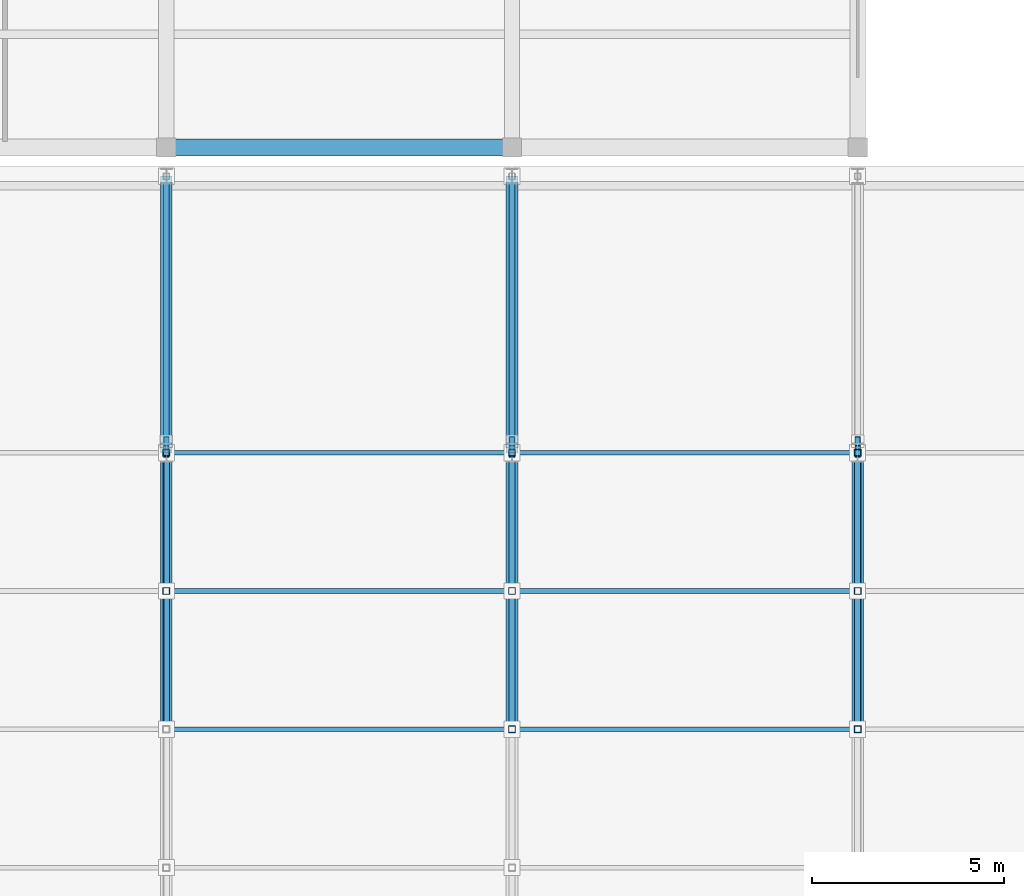
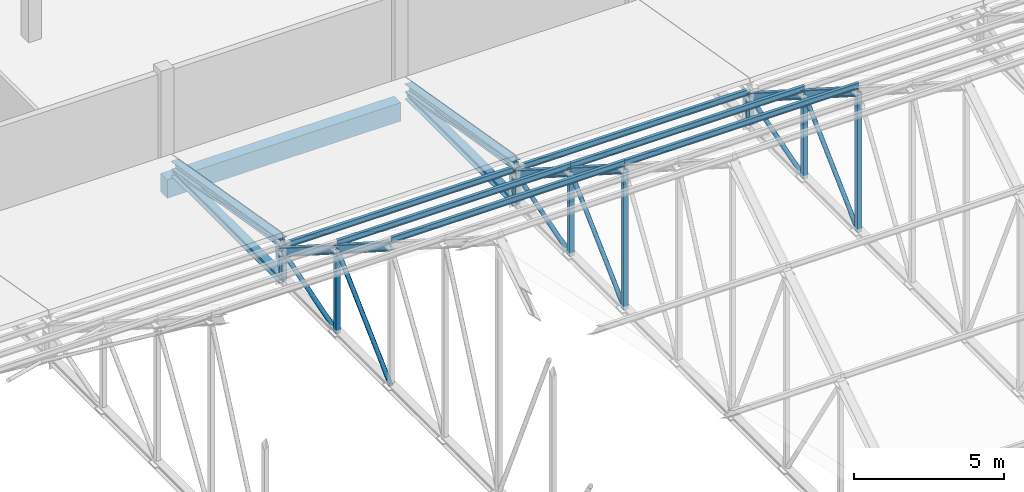
# One storey, part 113 of 182: 35 members, 1 beam.
"""IFC4 building model written with IfcOpenShell, lengths in metres."""

from ifc_helpers import new_model, si_unit, direction, frame, origin, origin_2d, place, context, subcontext, project, spatial, rectangle, hollow_rectangle, hollow_circle, i_section, extrude, material, material_profile, profile_set, type_object, element, save


model = new_model("IFC4")

# Units and contexts
model_context = context("Model", 3, precision=1e-05, world=origin(), true_north=direction((0.0, 1.0)))
body_context = subcontext(model_context, "Body", "Model", "MODEL_VIEW")
ifc_project = project(units=[si_unit("LENGTHUNIT", "METRE"), si_unit("AREAUNIT", "SQUARE_METRE"), si_unit("VOLUMEUNIT", "CUBIC_METRE"), si_unit("PLANEANGLEUNIT", "RADIAN"), si_unit("MASSUNIT", "GRAM", prefix="KILO")], contexts=[model_context])

# Site, building, storey
site_placement = place(None, origin())
site = spatial("IfcSite", under=ifc_project, at=site_placement, CompositionType="ELEMENT")
building_placement = place(site_placement, origin())
building = spatial("IfcBuilding", under=site, at=building_placement, Name="Chiffa Square Polytechnic", CompositionType="ELEMENT")
storey_placement = place(building_placement, frame((0.0, 0.0, 9.60009765625)))
storey = spatial("IfcBuildingStorey", under=building, at=storey_placement, Name="L02", CompositionType="ELEMENT", Elevation=9.60009765625)

# Beam
ifc_material_1 = material(Name="Concrete C35/45", Category="concrete")
ifc_material_profile_1 = material_profile(ifc_material_1, rectangle(XDim=0.449951171875, YDim=0.75, at=origin_2d()), Name="RC 450x750")
ifc_profile_set_1 = profile_set([ifc_material_profile_1], Name="Concrete C35/45")
beam_type = type_object("IfcBeamType", Name="BM-RC-450X750", PredefinedType="BEAM", material=ifc_profile_set_1)
beam_placement = place(storey_placement, frame((130.199951171875, 94.949951171875, -0.695068359375), z_axis=(1.0, 0.0, 0.0), x_axis=(0.0, 1.0, 0.0)))
element("IfcBeam", 1, at=beam_placement, inside=storey, type_object=beam_type, Name="Primary floor girder BM-V5-L02-X-1302-0950", PredefinedType="BEAM", context=body_context, shape_type="SweptSolid", body=[
    extrude(rectangle(XDim=0.449951171875, YDim=0.75, at=origin_2d()), origin(), (0.0, 0.0, 1.0), 9.0),
])

# Members
ifc_material_2 = material(Name="Steel S355", Category="steel")
ifc_material_profile_2 = material_profile(ifc_material_2, i_section(OverallWidth=0.300048828125, OverallDepth=0.31005859375, WebThickness=0.009033203125, FlangeThickness=0.015380859375, FilletRadius=0.027099609375, at=origin_2d()), Name="HEA 320")
ifc_profile_set_2 = profile_set([ifc_material_profile_2], Name="Steel S355")
member_type_1 = type_object("IfcMemberType", Name="MEM-CHORD-HEA320", PredefinedType="CHORD", material=ifc_profile_set_2)
member_1_placement = place(storey_placement, frame((130.199951171875, 79.800048828125, 6.0498046875), z_axis=(0.0, 0.84270706373, -0.538372366248), x_axis=(-1.0, 0.0, 0.0)))
element("IfcMember", 2, at=member_1_placement, inside=storey, type_object=member_type_1, Name="Workshop roof truss top chord TCT-V2-03-07", PredefinedType="CHORD", context=body_context, shape_type="SweptSolid", body=[
    extrude(i_section(OverallWidth=0.300048828125, OverallDepth=0.31005859375, WebThickness=0.009033203125, FlangeThickness=0.015380859375, FilletRadius=0.027099609375, at=origin_2d()), origin(), (0.0, 0.0, 1.0), 4.271728515625),
])
member_2_placement = place(storey_placement, frame((130.199951171875, 83.39990234375, 3.75), z_axis=(0.0, 0.84269770024, -0.538387022512), x_axis=(-1.0, 0.0, 0.0)))
element("IfcMember", 3, at=member_2_placement, inside=storey, type_object=member_type_1, Name="Workshop roof truss top chord TCT-V2-03-08", PredefinedType="CHORD", context=body_context, shape_type="SweptSolid", body=[
    extrude(i_section(OverallWidth=0.300048828125, OverallDepth=0.31005859375, WebThickness=0.009033203125, FlangeThickness=0.015380859375, FilletRadius=0.027099609375, at=origin_2d()), origin(), (0.0, 0.0, 1.0), 4.272216796875),
])
member_3_placement = place(storey_placement, frame((130.199951171875, 87.0, 1.849853515625), z_axis=(0.0, 0.986394827799, -0.164393563414), x_axis=(-1.0, 0.0, 0.0)))
element("IfcMember", 4, at=member_3_placement, inside=storey, type_object=member_type_1, Name="Workshop north shed top chord TCT-V2-SH-03", PredefinedType="CHORD", context=body_context, shape_type="SweptSolid", body=[
    extrude(i_section(OverallWidth=0.300048828125, OverallDepth=0.31005859375, WebThickness=0.009033203125, FlangeThickness=0.015380859375, FilletRadius=0.027099609375, at=origin_2d()), origin(), (0.0, 0.0, 1.0), 7.29931640625),
])
member_4_placement = place(storey_placement, frame((139.199951171875, 79.800048828125, 6.0498046875), z_axis=(0.0, 0.84270706373, -0.538372366248), x_axis=(-1.0, 0.0, 0.0)))
element("IfcMember", 5, at=member_4_placement, inside=storey, type_object=member_type_1, Name="Workshop roof truss top chord TCT-V2-04-07", PredefinedType="CHORD", context=body_context, shape_type="SweptSolid", body=[
    extrude(i_section(OverallWidth=0.300048828125, OverallDepth=0.31005859375, WebThickness=0.009033203125, FlangeThickness=0.015380859375, FilletRadius=0.027099609375, at=origin_2d()), origin(), (0.0, 0.0, 1.0), 4.271728515625),
])
member_5_placement = place(storey_placement, frame((139.199951171875, 83.39990234375, 3.75), z_axis=(0.0, 0.84269770024, -0.538387022512), x_axis=(-1.0, 0.0, 0.0)))
element("IfcMember", 6, at=member_5_placement, inside=storey, type_object=member_type_1, Name="Workshop roof truss top chord TCT-V2-04-08", PredefinedType="CHORD", context=body_context, shape_type="SweptSolid", body=[
    extrude(i_section(OverallWidth=0.300048828125, OverallDepth=0.31005859375, WebThickness=0.009033203125, FlangeThickness=0.015380859375, FilletRadius=0.027099609375, at=origin_2d()), origin(), (0.0, 0.0, 1.0), 4.272216796875),
])
member_6_placement = place(storey_placement, frame((139.199951171875, 87.0, 1.849853515625), z_axis=(0.0, 0.986394827799, -0.164393563414), x_axis=(-1.0, 0.0, 0.0)))
element("IfcMember", 7, at=member_6_placement, inside=storey, type_object=member_type_1, Name="Workshop north shed top chord TCT-V2-SH-04", PredefinedType="CHORD", context=body_context, shape_type="SweptSolid", body=[
    extrude(i_section(OverallWidth=0.300048828125, OverallDepth=0.31005859375, WebThickness=0.009033203125, FlangeThickness=0.015380859375, FilletRadius=0.027099609375, at=origin_2d()), origin(), (0.0, 0.0, 1.0), 7.29931640625),
])
member_7_placement = place(storey_placement, frame((148.199951171875, 79.800048828125, 6.0498046875), z_axis=(0.0, 0.84270706373, -0.538372366248), x_axis=(-1.0, 0.0, 0.0)))
element("IfcMember", 8, at=member_7_placement, inside=storey, type_object=member_type_1, Name="Workshop roof truss top chord TCT-V2-05-07", PredefinedType="CHORD", context=body_context, shape_type="SweptSolid", body=[
    extrude(i_section(OverallWidth=0.300048828125, OverallDepth=0.31005859375, WebThickness=0.009033203125, FlangeThickness=0.015380859375, FilletRadius=0.027099609375, at=origin_2d()), origin(), (0.0, 0.0, 1.0), 4.271728515625),
])
member_8_placement = place(storey_placement, frame((148.199951171875, 83.39990234375, 3.75), z_axis=(0.0, 0.84269770024, -0.538387022512), x_axis=(-1.0, 0.0, 0.0)))
element("IfcMember", 9, at=member_8_placement, inside=storey, type_object=member_type_1, Name="Workshop roof truss top chord TCT-V2-05-08", PredefinedType="CHORD", context=body_context, shape_type="SweptSolid", body=[
    extrude(i_section(OverallWidth=0.300048828125, OverallDepth=0.31005859375, WebThickness=0.009033203125, FlangeThickness=0.015380859375, FilletRadius=0.027099609375, at=origin_2d()), origin(), (0.0, 0.0, 1.0), 4.272216796875),
])
ifc_material_profile_3 = material_profile(ifc_material_2, i_section(OverallWidth=0.300048828125, OverallDepth=0.300048828125, WebThickness=0.010986328125, FlangeThickness=0.01904296875, FilletRadius=0.027099609375, at=origin_2d()), Name="HEB 300")
ifc_profile_set_3 = profile_set([ifc_material_profile_3], Name="Steel S355")
member_type_2 = type_object("IfcMemberType", Name="MEM-CHORD-HEB300", PredefinedType="CHORD", material=ifc_profile_set_3)
for number, where, z_axis, x_axis, name in (
    (10, (130.199951171875, 87.0, 0.349853515625), (0.0, 1.0, 0.0), (-1.0, 0.0, 0.0), "Workshop north shed bottom chord TCB-V2-SH-03"),
    (11, (139.199951171875, 87.0, 0.349853515625), (0.0, 1.0, 0.0), (-1.0, 0.0, 0.0), "Workshop north shed bottom chord TCB-V2-SH-04"),
):
    element("IfcMember", number, at=place(storey_placement, frame(where, z_axis=z_axis, x_axis=x_axis)), inside=storey, type_object=member_type_2, Name=name, PredefinedType="CHORD", context=body_context, shape_type="SweptSolid", body=[
        extrude(i_section(OverallWidth=0.300048828125, OverallDepth=0.300048828125, WebThickness=0.010986328125, FlangeThickness=0.01904296875, FilletRadius=0.027099609375, at=origin_2d()), origin(), (0.0, 0.0, 1.0), 7.199951171875),
    ])
ifc_material_profile_4 = material_profile(ifc_material_2, i_section(OverallWidth=0.1201171875, OverallDepth=0.239990234375, WebThickness=0.006103515625, FlangeThickness=0.009765625, FilletRadius=0.014892578125, at=origin_2d()), Name="IPE 240")
ifc_profile_set_4 = profile_set([ifc_material_profile_4], Name="Steel S355")
member_type_3 = type_object("IfcMemberType", Name="MEM-PUR-IPE240", PredefinedType="PURLIN", material=ifc_profile_set_4)
for number, where, z_axis, x_axis, name in (
    (12, (130.199951171875, 79.800048828125, 6.2998046875), (1.0, 0.0, 0.0), (0.0, 1.0, 0.0), "Workshop steel roof purlin PU-V2-03-07"),
    (13, (130.199951171875, 83.39990234375, 4.0), (1.0, 0.0, 0.0), (0.0, 1.0, 0.0), "Workshop steel roof purlin PU-V2-03-08"),
    (14, (130.199951171875, 87.0, 1.699951171875), (1.0, 0.0, 0.0), (0.0, 1.0, 0.0), "Workshop steel roof purlin PU-V2-03-09"),
    (15, (139.199951171875, 79.800048828125, 6.2998046875), (1.0, 0.0, 0.0), (0.0, 1.0, 0.0), "Workshop steel roof purlin PU-V2-04-07"),
    (16, (139.199951171875, 83.39990234375, 4.0), (1.0, 0.0, 0.0), (0.0, 1.0, 0.0), "Workshop steel roof purlin PU-V2-04-08"),
    (17, (139.199951171875, 87.0, 1.699951171875), (1.0, 0.0, 0.0), (0.0, 1.0, 0.0), "Workshop steel roof purlin PU-V2-04-09"),
):
    element("IfcMember", number, at=place(storey_placement, frame(where, z_axis=z_axis, x_axis=x_axis)), inside=storey, type_object=member_type_3, Name=name, PredefinedType="PURLIN", context=body_context, shape_type="SweptSolid", body=[
        extrude(i_section(OverallWidth=0.1201171875, OverallDepth=0.239990234375, WebThickness=0.006103515625, FlangeThickness=0.009765625, FilletRadius=0.014892578125, at=origin_2d()), origin(), (0.0, 0.0, 1.0), 9.0),
    ])
ifc_material_profile_5 = material_profile(ifc_material_2, hollow_rectangle(XDim=0.14990234375, YDim=0.25, WallThickness=0.010009765625, at=origin_2d()), Name="RHS 250x150x10")
ifc_profile_set_5 = profile_set([ifc_material_profile_5], Name="Steel S355")
member_type_4 = type_object("IfcMemberType", Name="MEM-STRUT-RHS250", PredefinedType="STRUT", material=ifc_profile_set_5)
for number, where, z_axis, x_axis, name in (
    (18, (130.199951171875, 87.0, 0.349853515625), (0.0, 0.263135522356, 0.964758880174), (-1.0, 0.0, 0.0), "Eave outrigger strut OS-V2-N-03"),
    (19, (139.199951171875, 87.0, 0.349853515625), (0.0, 0.263135522356, 0.964758880174), (-1.0, 0.0, 0.0), "Eave outrigger strut OS-V2-N-04"),
    (20, (148.199951171875, 87.0, 0.349853515625), (0.0, 0.263135522356, 0.964758880174), (-1.0, 0.0, 0.0), "Eave outrigger strut OS-V2-N-05"),
):
    element("IfcMember", number, at=place(storey_placement, frame(where, z_axis=z_axis, x_axis=x_axis)), inside=storey, type_object=member_type_4, Name=name, PredefinedType="STRUT", context=body_context, shape_type="SweptSolid", body=[
        extrude(hollow_rectangle(XDim=0.14990234375, YDim=0.25, WallThickness=0.010009765625, at=origin_2d()), origin(), (0.0, 0.0, 1.0), 1.140380859375),
    ])
ifc_material_profile_6 = material_profile(ifc_material_2, hollow_circle(Radius=0.084228515625, WallThickness=0.010009765625, at=origin_2d()), Name="CHS 168.3x10")
ifc_profile_set_6 = profile_set([ifc_material_profile_6], Name="Steel S355")
member_type_5 = type_object("IfcMemberType", Name="MEM-WEB-CHS168", PredefinedType="MEMBER", material=ifc_profile_set_6)
member_9_placement = place(storey_placement, frame((130.199951171875, 79.800048828125, 0.349853515625), z_axis=(0.0, 0.726984438285, 0.686653935029), x_axis=(-1.0, 0.0, 0.0)))
element("IfcMember", 21, at=member_9_placement, inside=storey, type_object=member_type_5, Name="Workshop roof truss diagonal TWD-V2-03-07", PredefinedType="MEMBER", context=body_context, shape_type="SweptSolid", body=[
    extrude(hollow_circle(Radius=0.084228515625, WallThickness=0.010009765625, at=origin_2d()), origin(), (0.0, 0.0, 1.0), 4.95166015625),
])
member_10_placement = place(storey_placement, frame((130.199951171875, 83.39990234375, 0.349853515625), z_axis=(0.0, 0.956346536322, 0.292235012388), x_axis=(-1.0, 0.0, 0.0)))
element("IfcMember", 22, at=member_10_placement, inside=storey, type_object=member_type_5, Name="Workshop roof truss diagonal TWD-V2-03-08", PredefinedType="MEMBER", context=body_context, shape_type="SweptSolid", body=[
    extrude(hollow_circle(Radius=0.084228515625, WallThickness=0.010009765625, at=origin_2d()), origin(), (0.0, 0.0, 1.0), 3.764404296875),
])
member_11_placement = place(storey_placement, frame((139.199951171875, 79.800048828125, 0.349853515625), z_axis=(0.0, 0.726984438285, 0.686653935029), x_axis=(-1.0, 0.0, 0.0)))
element("IfcMember", 23, at=member_11_placement, inside=storey, type_object=member_type_5, Name="Workshop roof truss diagonal TWD-V2-04-07", PredefinedType="MEMBER", context=body_context, shape_type="SweptSolid", body=[
    extrude(hollow_circle(Radius=0.084228515625, WallThickness=0.010009765625, at=origin_2d()), origin(), (0.0, 0.0, 1.0), 4.95166015625),
])
member_12_placement = place(storey_placement, frame((139.199951171875, 83.39990234375, 0.349853515625), z_axis=(0.0, 0.956346536322, 0.292235012388), x_axis=(-1.0, 0.0, 0.0)))
element("IfcMember", 24, at=member_12_placement, inside=storey, type_object=member_type_5, Name="Workshop roof truss diagonal TWD-V2-04-08", PredefinedType="MEMBER", context=body_context, shape_type="SweptSolid", body=[
    extrude(hollow_circle(Radius=0.084228515625, WallThickness=0.010009765625, at=origin_2d()), origin(), (0.0, 0.0, 1.0), 3.764404296875),
])
member_13_placement = place(storey_placement, frame((148.199951171875, 79.800048828125, 0.349853515625), z_axis=(0.0, 0.726984438285, 0.686653935029), x_axis=(-1.0, 0.0, 0.0)))
element("IfcMember", 25, at=member_13_placement, inside=storey, type_object=member_type_5, Name="Workshop roof truss diagonal TWD-V2-05-07", PredefinedType="MEMBER", context=body_context, shape_type="SweptSolid", body=[
    extrude(hollow_circle(Radius=0.084228515625, WallThickness=0.010009765625, at=origin_2d()), origin(), (0.0, 0.0, 1.0), 4.95166015625),
])
member_14_placement = place(storey_placement, frame((148.199951171875, 83.39990234375, 0.349853515625), z_axis=(0.0, 0.956346536322, 0.292235012388), x_axis=(-1.0, 0.0, 0.0)))
element("IfcMember", 26, at=member_14_placement, inside=storey, type_object=member_type_5, Name="Workshop roof truss diagonal TWD-V2-05-08", PredefinedType="MEMBER", context=body_context, shape_type="SweptSolid", body=[
    extrude(hollow_circle(Radius=0.084228515625, WallThickness=0.010009765625, at=origin_2d()), origin(), (0.0, 0.0, 1.0), 3.764404296875),
])
ifc_material_profile_7 = material_profile(ifc_material_2, hollow_rectangle(XDim=0.159912109375, YDim=0.159912109375, WallThickness=0.008056640625, InnerFilletRadius=0.008056640625, OuterFilletRadius=0.01611328125, at=origin_2d()), Name="RHS 160x160x8")
ifc_profile_set_7 = profile_set([ifc_material_profile_7], Name="Steel S355")
member_type_6 = type_object("IfcMemberType", Name="MEM-WEB-RHS160", PredefinedType="MEMBER", material=ifc_profile_set_7)
for number, where, z_axis, x_axis, name in (
    (27, (130.199951171875, 87.0, 1.849853515625), (0.0, 0.978980143565, -0.203955579738), (-1.0, 0.0, 0.0), "Workshop north shed diagonal TWD-V2-SH-03"),
    (28, (139.199951171875, 87.0, 1.849853515625), (0.0, 0.978980143565, -0.203955579738), (-1.0, 0.0, 0.0), "Workshop north shed diagonal TWD-V2-SH-04"),
):
    element("IfcMember", number, at=place(storey_placement, frame(where, z_axis=z_axis, x_axis=x_axis)), inside=storey, type_object=member_type_6, Name=name, PredefinedType="MEMBER", context=body_context, shape_type="SweptSolid", body=[
        extrude(hollow_rectangle(XDim=0.159912109375, YDim=0.159912109375, WallThickness=0.008056640625, InnerFilletRadius=0.008056640625, OuterFilletRadius=0.01611328125, at=origin_2d()), origin(), (0.0, 0.0, 1.0), 7.3544921875),
    ])
ifc_material_profile_8 = material_profile(ifc_material_2, hollow_rectangle(XDim=0.179931640625, YDim=0.179931640625, WallThickness=0.010009765625, at=origin_2d()), Name="RHS 180x180x10")
ifc_profile_set_8 = profile_set([ifc_material_profile_8], Name="Steel S355")
member_type_7 = type_object("IfcMemberType", Name="MEM-WEB-RHS180", PredefinedType="MEMBER", material=ifc_profile_set_8)
member_15_placement = place(storey_placement, frame((130.199951171875, 83.39990234375, 0.349853515625), z_axis=(0.0, 0.0, 1.0), x_axis=(1.0, 0.0, 0.0)))
element("IfcMember", 29, at=member_15_placement, inside=storey, type_object=member_type_7, Name="Workshop roof truss vertical TWV-V2-03-08", PredefinedType="MEMBER", context=body_context, shape_type="SweptSolid", body=[
    extrude(hollow_rectangle(XDim=0.179931640625, YDim=0.179931640625, WallThickness=0.010009765625, at=origin_2d()), origin(), (0.0, 0.0, 1.0), 3.400146484375),
])
member_16_placement = place(storey_placement, frame((130.199951171875, 87.0, 0.349853515625), z_axis=(0.0, 0.0, 1.0), x_axis=(1.0, 0.0, 0.0)))
element("IfcMember", 30, at=member_16_placement, inside=storey, type_object=member_type_7, Name="Workshop roof truss vertical TWV-V2-03-09", PredefinedType="MEMBER", context=body_context, shape_type="SweptSolid", body=[
    extrude(hollow_rectangle(XDim=0.179931640625, YDim=0.179931640625, WallThickness=0.010009765625, at=origin_2d()), origin(), (0.0, 0.0, 1.0), 1.10009765625),
])
member_17_placement = place(storey_placement, frame((139.199951171875, 79.800048828125, 0.349853515625), z_axis=(0.0, 0.0, 1.0), x_axis=(1.0, 0.0, 0.0)))
element("IfcMember", 31, at=member_17_placement, inside=storey, type_object=member_type_7, Name="Workshop roof truss vertical TWV-V2-04-07", PredefinedType="MEMBER", context=body_context, shape_type="SweptSolid", body=[
    extrude(hollow_rectangle(XDim=0.179931640625, YDim=0.179931640625, WallThickness=0.010009765625, at=origin_2d()), origin(), (0.0, 0.0, 1.0), 5.699951171875),
])
member_18_placement = place(storey_placement, frame((139.199951171875, 83.39990234375, 0.349853515625), z_axis=(0.0, 0.0, 1.0), x_axis=(1.0, 0.0, 0.0)))
element("IfcMember", 32, at=member_18_placement, inside=storey, type_object=member_type_7, Name="Workshop roof truss vertical TWV-V2-04-08", PredefinedType="MEMBER", context=body_context, shape_type="SweptSolid", body=[
    extrude(hollow_rectangle(XDim=0.179931640625, YDim=0.179931640625, WallThickness=0.010009765625, at=origin_2d()), origin(), (0.0, 0.0, 1.0), 3.400146484375),
])
member_19_placement = place(storey_placement, frame((139.199951171875, 87.0, 0.349853515625), z_axis=(0.0, 0.0, 1.0), x_axis=(1.0, 0.0, 0.0)))
element("IfcMember", 33, at=member_19_placement, inside=storey, type_object=member_type_7, Name="Workshop roof truss vertical TWV-V2-04-09", PredefinedType="MEMBER", context=body_context, shape_type="SweptSolid", body=[
    extrude(hollow_rectangle(XDim=0.179931640625, YDim=0.179931640625, WallThickness=0.010009765625, at=origin_2d()), origin(), (0.0, 0.0, 1.0), 1.10009765625),
])
member_20_placement = place(storey_placement, frame((148.199951171875, 79.800048828125, 0.349853515625), z_axis=(0.0, 0.0, 1.0), x_axis=(1.0, 0.0, 0.0)))
element("IfcMember", 34, at=member_20_placement, inside=storey, type_object=member_type_7, Name="Workshop roof truss vertical TWV-V2-05-07", PredefinedType="MEMBER", context=body_context, shape_type="SweptSolid", body=[
    extrude(hollow_rectangle(XDim=0.179931640625, YDim=0.179931640625, WallThickness=0.010009765625, at=origin_2d()), origin(), (0.0, 0.0, 1.0), 5.699951171875),
])
member_21_placement = place(storey_placement, frame((148.199951171875, 83.39990234375, 0.349853515625), z_axis=(0.0, 0.0, 1.0), x_axis=(1.0, 0.0, 0.0)))
element("IfcMember", 35, at=member_21_placement, inside=storey, type_object=member_type_7, Name="Workshop roof truss vertical TWV-V2-05-08", PredefinedType="MEMBER", context=body_context, shape_type="SweptSolid", body=[
    extrude(hollow_rectangle(XDim=0.179931640625, YDim=0.179931640625, WallThickness=0.010009765625, at=origin_2d()), origin(), (0.0, 0.0, 1.0), 3.400146484375),
])
member_22_placement = place(storey_placement, frame((148.199951171875, 87.0, 0.349853515625), z_axis=(0.0, 0.0, 1.0), x_axis=(1.0, 0.0, 0.0)))
element("IfcMember", 36, at=member_22_placement, inside=storey, type_object=member_type_7, Name="Workshop roof truss vertical TWV-V2-05-09", PredefinedType="MEMBER", context=body_context, shape_type="SweptSolid", body=[
    extrude(hollow_rectangle(XDim=0.179931640625, YDim=0.179931640625, WallThickness=0.010009765625, at=origin_2d()), origin(), (0.0, 0.0, 1.0), 1.10009765625),
])

save(model, "model.ifc")
